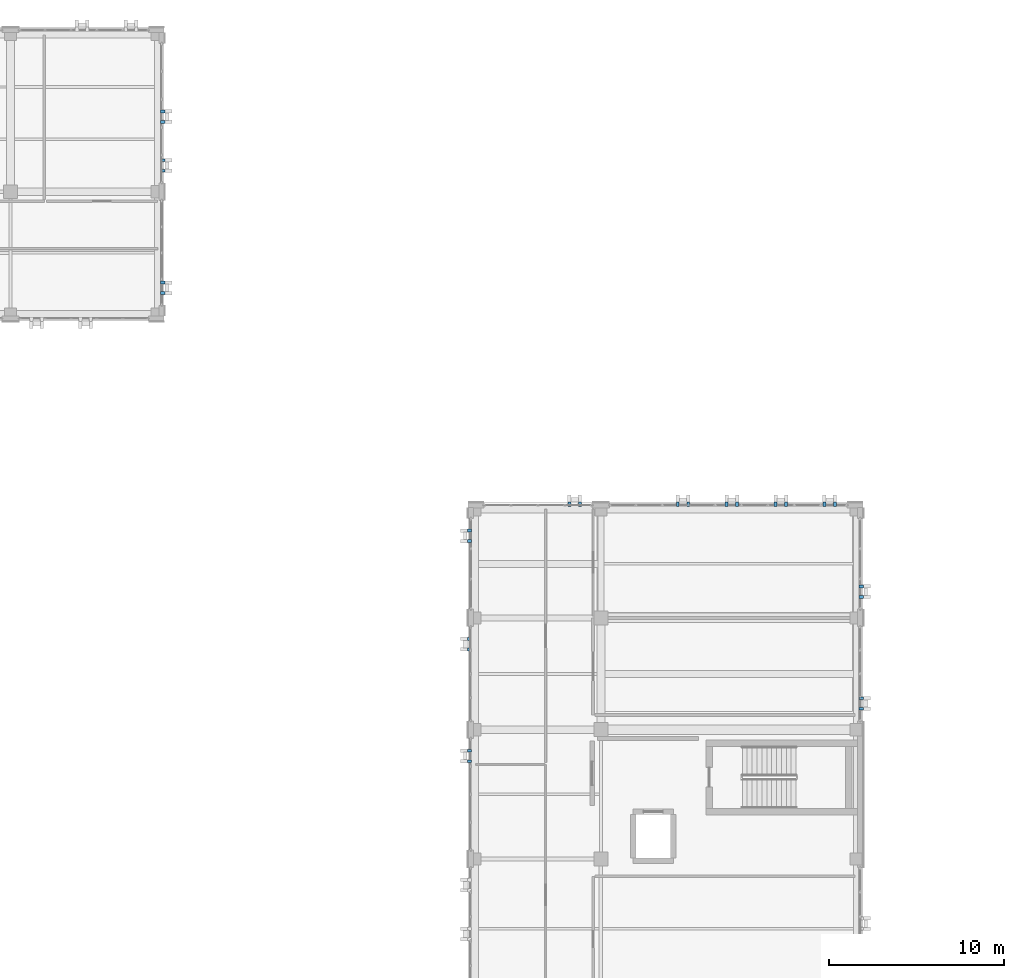
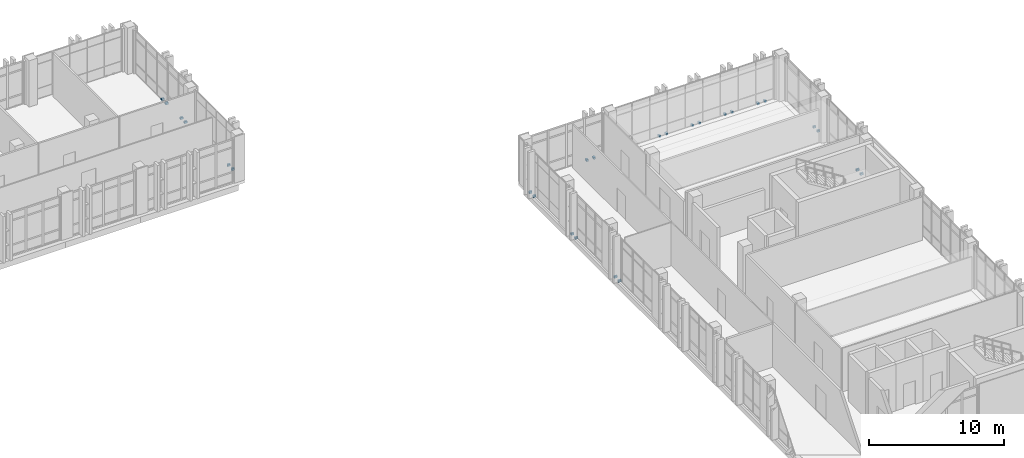
# One storey, part 146 of 165: 26 discrete accessories.
"""IFC4 building model written with IfcOpenShell, lengths in metres."""

from ifc_helpers import new_model, si_unit, direction, frame, origin, origin_2d, place, context, subcontext, project, spatial, rectangle, extrude, material, type_object, element, save


model = new_model("IFC4")

# Units and contexts
model_context = context("Model", 3, precision=1e-05, world=origin(), true_north=direction((0.0, 1.0)))
body_context = subcontext(model_context, "Body", "Model", "MODEL_VIEW")
ifc_project = project(units=[si_unit("LENGTHUNIT", "METRE"), si_unit("AREAUNIT", "SQUARE_METRE"), si_unit("VOLUMEUNIT", "CUBIC_METRE"), si_unit("PLANEANGLEUNIT", "RADIAN"), si_unit("MASSUNIT", "GRAM", prefix="KILO")], contexts=[model_context])

# Site, building, storey
site_placement = place(None, origin())
site = spatial("IfcSite", under=ifc_project, at=site_placement, CompositionType="ELEMENT")
building_placement = place(site_placement, origin())
building = spatial("IfcBuilding", under=site, at=building_placement, Name="Qalavern Law Courts", CompositionType="ELEMENT")
storey_placement = place(building_placement, frame((0.0, 0.0, 14.39990234375)))
storey = spatial("IfcBuildingStorey", under=building, at=storey_placement, Name="L03", CompositionType="ELEMENT", Elevation=14.39990234375)

# Discrete accessories
ifc_material = material(Name="Steel S355", Category="steel")
discrete_accessory_type = type_object("IfcDiscreteAccessoryType", Name="ENV-BRK-FIN", PredefinedType="BRACKET", material=ifc_material)
for number, where, z_axis, x_axis, name in (
    (1, (106.71240234375, 74.0, -0.06982421875), (0.0, 0.0, 1.0), (1.0, 0.0, 0.0), "Stone blade anchor bracket 0635"),
    (2, (106.71240234375, 74.60009765625, -0.06982421875), (0.0, 0.0, 1.0), (1.0, 0.0, 0.0), "Stone blade anchor bracket 0636"),
    (3, (106.71240234375, 80.39990234375, -0.06982421875), (0.0, 0.0, 1.0), (1.0, 0.0, 0.0), "Stone blade anchor bracket 0637"),
    (4, (106.71240234375, 81.0, -0.06982421875), (0.0, 0.0, 1.0), (1.0, 0.0, 0.0), "Stone blade anchor bracket 0638"),
    (5, (105.199951171875, 85.71240234375, -0.06982421875), (0.0, 0.0, 1.0), (0.0, 1.0, 0.0), "Stone blade anchor bracket 0639"),
    (6, (104.60009765625, 85.71240234375, -0.06982421875), (0.0, 0.0, 1.0), (0.0, 1.0, 0.0), "Stone blade anchor bracket 0640"),
    (7, (102.39990234375, 85.71240234375, -0.06982421875), (0.0, 0.0, 1.0), (0.0, 1.0, 0.0), "Stone blade anchor bracket 0641"),
    (8, (101.800048828125, 85.71240234375, -0.06982421875), (0.0, 0.0, 1.0), (0.0, 1.0, 0.0), "Stone blade anchor bracket 0642"),
    (9, (99.60009765625, 85.71240234375, -0.06982421875), (0.0, 0.0, 1.0), (0.0, 1.0, 0.0), "Stone blade anchor bracket 0643"),
    (10, (99.0, 85.71240234375, -0.06982421875), (0.0, 0.0, 1.0), (0.0, 1.0, 0.0), "Stone blade anchor bracket 0644"),
    (11, (96.800048828125, 85.71240234375, -0.06982421875), (0.0, 0.0, 1.0), (0.0, 1.0, 0.0), "Stone blade anchor bracket 0645"),
    (12, (96.199951171875, 85.71240234375, -0.06982421875), (0.0, 0.0, 1.0), (0.0, 1.0, 0.0), "Stone blade anchor bracket 0646"),
    (13, (90.60009765625, 85.71240234375, -0.06982421875), (0.0, 0.0, 1.0), (0.0, 1.0, 0.0), "Stone blade anchor bracket 0647"),
    (14, (90.0, 85.71240234375, -0.06982421875), (0.0, 0.0, 1.0), (0.0, 1.0, 0.0), "Stone blade anchor bracket 0648"),
    (15, (84.28759765625, 84.199951171875, -0.06982421875), (0.0, 0.0, 1.0), (-1.0, 0.0, 0.0), "Stone blade anchor bracket 0649"),
    (16, (84.28759765625, 83.60009765625, -0.06982421875), (0.0, 0.0, 1.0), (-1.0, 0.0, 0.0), "Stone blade anchor bracket 0650"),
    (17, (84.28759765625, 78.0, -0.06982421875), (0.0, 0.0, 1.0), (-1.0, 0.0, 0.0), "Stone blade anchor bracket 0651"),
    (18, (84.28759765625, 77.39990234375, -0.06982421875), (0.0, 0.0, 1.0), (-1.0, 0.0, 0.0), "Stone blade anchor bracket 0652"),
    (19, (84.28759765625, 71.60009765625, -0.06982421875), (0.0, 0.0, 1.0), (-1.0, 0.0, 0.0), "Stone blade anchor bracket 0653"),
    (20, (84.28759765625, 71.0, -0.06982421875), (0.0, 0.0, 1.0), (-1.0, 0.0, 0.0), "Stone blade anchor bracket 0654"),
    (21, (66.71240234375, 97.800048828125, -0.06982421875), (0.0, 0.0, 1.0), (1.0, 0.0, 0.0), "Stone blade anchor bracket 1029"),
    (22, (66.71240234375, 98.39990234375, -0.06982421875), (0.0, 0.0, 1.0), (1.0, 0.0, 0.0), "Stone blade anchor bracket 1030"),
    (23, (66.71240234375, 104.800048828125, -0.06982421875), (0.0, 0.0, 1.0), (1.0, 0.0, 0.0), "Stone blade anchor bracket 1031"),
    (24, (66.71240234375, 105.39990234375, -0.06982421875), (0.0, 0.0, 1.0), (1.0, 0.0, 0.0), "Stone blade anchor bracket 1032"),
    (25, (66.71240234375, 107.60009765625, -0.06982421875), (0.0, 0.0, 1.0), (1.0, 0.0, 0.0), "Stone blade anchor bracket 1033"),
    (26, (66.71240234375, 108.199951171875, -0.06982421875), (0.0, 0.0, 1.0), (1.0, 0.0, 0.0), "Stone blade anchor bracket 1034"),
):
    element("IfcDiscreteAccessory", number, at=place(storey_placement, frame(where, z_axis=z_axis, x_axis=x_axis)), inside=storey, type_object=discrete_accessory_type, Name=name, PredefinedType="BRACKET", context=body_context, shape_type="SweptSolid", body=[
        extrude(rectangle(XDim=0.239990234375, YDim=0.159912109375, at=origin_2d()), origin(), (0.0, 0.0, 1.0), 0.179931640625),
    ])

save(model, "model.ifc")
